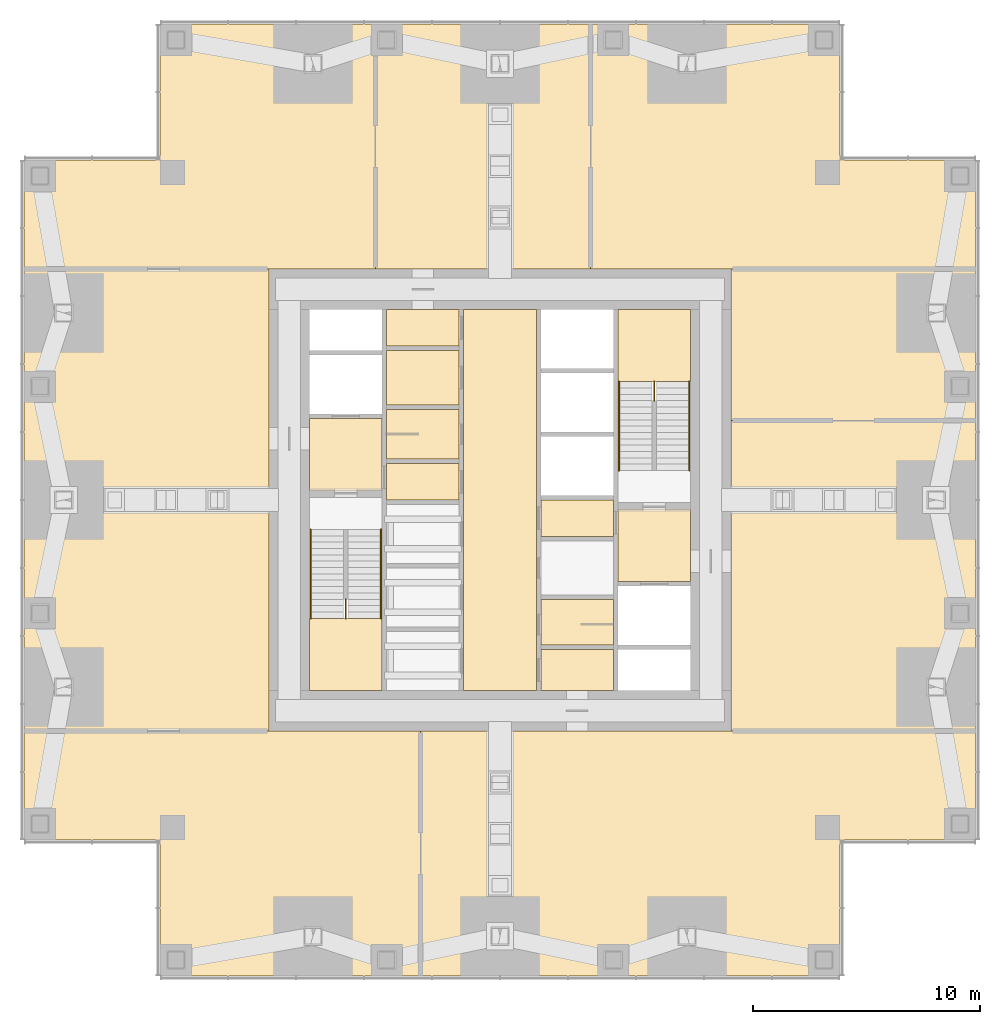
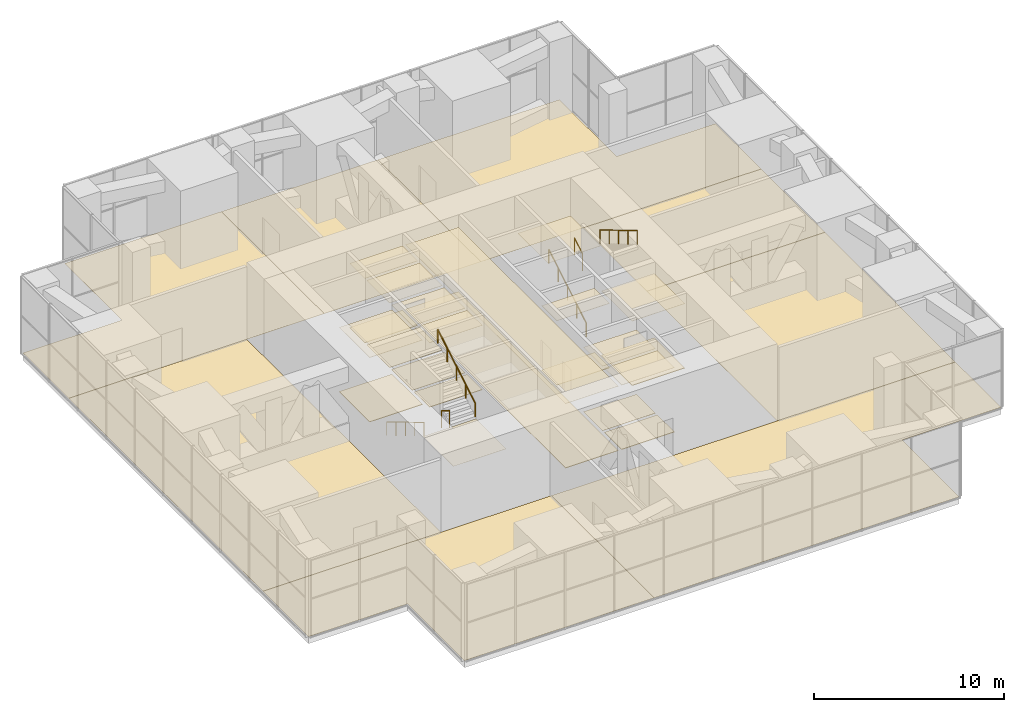
# One storey, part 13 of 13: 30 coverings, 6 railings.
"""IFC4 building model written with IfcOpenShell, lengths in metres."""

from ifc_helpers import new_model, si_unit, direction, frame, origin, origin_2d, place, context, subcontext, project, spatial, polyline, circle, outline, extrude, material, layer, layer_set, type_object, element, save


model = new_model("IFC4")

# Units and contexts
model_context = context("Model", 3, precision=1e-05, world=origin(), true_north=direction((0.0, 1.0)))
body_context = subcontext(model_context, "Body", "Model", "MODEL_VIEW")
ifc_project = project(units=[si_unit("LENGTHUNIT", "METRE"), si_unit("AREAUNIT", "SQUARE_METRE"), si_unit("VOLUMEUNIT", "CUBIC_METRE"), si_unit("PLANEANGLEUNIT", "RADIAN"), si_unit("MASSUNIT", "GRAM", prefix="KILO")], contexts=[model_context])

# Site, building, storey
site_placement = place(None, origin())
site = spatial("IfcSite", under=ifc_project, at=site_placement, CompositionType="ELEMENT")
building_placement = place(site_placement, origin())
building = spatial("IfcBuilding", under=site, at=building_placement, Name="Svetlomir Tower", CompositionType="ELEMENT")
storey_placement = place(building_placement, frame((0.0, 0.0, 86.5)))
storey = spatial("IfcBuildingStorey", under=building, at=storey_placement, Name="L20", CompositionType="ELEMENT", Elevation=86.5)

# Coverings
ifc_material_1 = material(Name="Ceramic floor tile", Category="ceramic")
ifc_layer_1 = layer(ifc_material_1, 0.014892578125)
ifc_layer_set_1 = layer_set([ifc_layer_1], Name="Ceramic floor tile")
covering_type_1 = type_object("IfcCoveringType", Name="CERAMIC TILE FLOOR 15", PredefinedType="FLOORING", material=ifc_layer_set_1)
covering_1_placement = place(storey_placement, origin())
element("IfcCovering", 1, at=covering_1_placement, inside=storey, type_object=covering_type_1, Name="Floor finish L20-04", PredefinedType="FLOORING", context=body_context, shape_type="SweptSolid", body=[
    extrude(outline(polyline([(16.0, 22.800048828125), (19.199951171875, 22.800048828125), (19.199951171875, 25.0), (16.0, 25.0), (16.0, 22.800048828125)])), origin(), (0.0, 0.0, 1.0), 0.014892578125),
])
covering_2_placement = place(storey_placement, origin())
element("IfcCovering", 2, at=covering_2_placement, inside=storey, type_object=covering_type_1, Name="Floor finish L20-05", PredefinedType="FLOORING", context=body_context, shape_type="SweptSolid", body=[
    extrude(outline(polyline([(16.0, 25.199951171875), (19.199951171875, 25.199951171875), (19.199951171875, 27.60009765625), (16.0, 27.60009765625), (16.0, 25.199951171875)])), origin(), (0.0, 0.0, 1.0), 0.014892578125),
])
covering_3_placement = place(storey_placement, origin())
element("IfcCovering", 3, at=covering_3_placement, inside=storey, type_object=covering_type_1, Name="Floor finish L20-09", PredefinedType="FLOORING", context=body_context, shape_type="SweptSolid", body=[
    extrude(outline(polyline([(22.800048828125, 14.60009765625), (26.0, 14.60009765625), (26.0, 16.60009765625), (22.800048828125, 16.60009765625), (22.800048828125, 14.60009765625)])), origin(), (0.0, 0.0, 1.0), 0.014892578125),
])
ifc_material_2 = material(Name="Epoxy resin floor coating", Category="resin")
ifc_layer_2 = layer(ifc_material_2, 0.0048828125)
ifc_layer_set_2 = layer_set([ifc_layer_2], Name="Epoxy resin floor coating")
covering_type_2 = type_object("IfcCoveringType", Name="EPOXY FLOOR 5", PredefinedType="FLOORING", material=ifc_layer_set_2)
covering_4_placement = place(storey_placement, origin())
element("IfcCovering", 4, at=covering_4_placement, inside=storey, type_object=covering_type_2, Name="Floor finish L20-14", PredefinedType="FLOORING", context=body_context, shape_type="SweptSolid", body=[
    extrude(outline(polyline([(6.0, 0.0), (6.0, 6.0), (0.0, 6.0), (0.0, 10.800048828125), (17.5, 10.800048828125), (17.5, 0.0), (6.0, 0.0)])), origin(), (0.0, 0.0, 1.0), 0.0048828125),
])
covering_5_placement = place(storey_placement, origin())
element("IfcCovering", 5, at=covering_5_placement, inside=storey, type_object=covering_type_2, Name="Floor finish L20-15", PredefinedType="FLOORING", context=body_context, shape_type="SweptSolid", body=[
    extrude(outline(polyline([(36.0, 0.0), (17.5, 0.0), (17.5, 10.800048828125), (42.0, 10.800048828125), (42.0, 6.0), (36.0, 6.0), (36.0, 0.0)])), origin(), (0.0, 0.0, 1.0), 0.0048828125),
])
covering_6_placement = place(storey_placement, origin())
element("IfcCovering", 6, at=covering_6_placement, inside=storey, type_object=covering_type_2, Name="Floor finish L20-16", PredefinedType="FLOORING", context=body_context, shape_type="SweptSolid", body=[
    extrude(outline(polyline([(6.0, 42.0), (15.5, 42.0), (15.5, 31.199951171875), (0.0, 31.199951171875), (0.0, 36.0), (6.0, 36.0), (6.0, 42.0)])), origin(), (0.0, 0.0, 1.0), 0.0048828125),
])
covering_7_placement = place(storey_placement, origin())
element("IfcCovering", 7, at=covering_7_placement, inside=storey, type_object=covering_type_2, Name="Floor finish L20-17", PredefinedType="FLOORING", context=body_context, shape_type="SweptSolid", body=[
    extrude(outline(polyline([(25.0, 42.0), (25.0, 31.199951171875), (15.5, 31.199951171875), (15.5, 42.0), (25.0, 42.0)])), origin(), (0.0, 0.0, 1.0), 0.0048828125),
])
covering_8_placement = place(storey_placement, origin())
element("IfcCovering", 8, at=covering_8_placement, inside=storey, type_object=covering_type_2, Name="Floor finish L20-18", PredefinedType="FLOORING", context=body_context, shape_type="SweptSolid", body=[
    extrude(outline(polyline([(36.0, 42.0), (36.0, 36.0), (42.0, 36.0), (42.0, 31.199951171875), (25.0, 31.199951171875), (25.0, 42.0), (36.0, 42.0)])), origin(), (0.0, 0.0, 1.0), 0.0048828125),
])
covering_9_placement = place(storey_placement, origin())
element("IfcCovering", 9, at=covering_9_placement, inside=storey, type_object=covering_type_2, Name="Floor finish L20-19", PredefinedType="FLOORING", context=body_context, shape_type="SweptSolid", body=[
    extrude(outline(polyline([(10.800048828125, 31.199951171875), (10.800048828125, 10.800048828125), (0.0, 10.800048828125), (0.0, 31.199951171875), (10.800048828125, 31.199951171875)])), origin(), (0.0, 0.0, 1.0), 0.0048828125),
])
covering_10_placement = place(storey_placement, origin())
element("IfcCovering", 10, at=covering_10_placement, inside=storey, type_object=covering_type_2, Name="Floor finish L20-20", PredefinedType="FLOORING", context=body_context, shape_type="SweptSolid", body=[
    extrude(outline(polyline([(31.199951171875, 24.5), (42.0, 24.5), (42.0, 10.800048828125), (31.199951171875, 10.800048828125), (31.199951171875, 24.5)])), origin(), (0.0, 0.0, 1.0), 0.0048828125),
])
covering_11_placement = place(storey_placement, origin())
element("IfcCovering", 11, at=covering_11_placement, inside=storey, type_object=covering_type_2, Name="Floor finish L20-21", PredefinedType="FLOORING", context=body_context, shape_type="SweptSolid", body=[
    extrude(outline(polyline([(31.199951171875, 31.199951171875), (42.0, 31.199951171875), (42.0, 24.5), (31.199951171875, 24.5), (31.199951171875, 31.199951171875)])), origin(), (0.0, 0.0, 1.0), 0.0048828125),
])

# Railings
ifc_material_3 = material(Name="Stainless steel", Category="steel")
railing_type_1 = type_object("IfcRailingType", Name="HANDRAIL HR1 900", PredefinedType="HANDRAIL", material=ifc_material_3)
railing_1_placement = place(storey_placement, frame((12.64990234375, 19.699951171875, 0.166748046875)))
element("IfcRailing", 12, at=railing_1_placement, inside=storey, type_object=railing_type_1, Name="Handrail S1 flight 1 L20", PredefinedType="HANDRAIL", context=body_context, shape_type="SweptSolid", body=[
    extrude(circle(Radius=0.02392578125, at=origin_2d()), frame((0.0, 0.0, 0.8759765625), z_axis=(0.0, -0.859296244711, 0.511478214419), x_axis=(1.0, 0.0, 0.0)), (0.0, 0.0, 1.0), 4.561767578125),
    extrude(circle(Radius=0.02099609375, at=origin_2d()), origin(), (0.0, 0.0, 1.0), 0.851806640625),
    extrude(circle(Radius=0.02099609375, at=origin_2d()), frame((0.0, -0.97998046875, 0.583251953125)), (0.0, 0.0, 1.0), 0.851806640625),
    extrude(circle(Radius=0.02099609375, at=origin_2d()), frame((0.0, -1.9599609375, 1.16650390625)), (0.0, 0.0, 1.0), 0.851806640625),
    extrude(circle(Radius=0.02099609375, at=origin_2d()), frame((0.0, -2.93994140625, 1.75)), (0.0, 0.0, 1.0), 0.851806640625),
    extrude(circle(Radius=0.02099609375, at=origin_2d()), frame((0.0, -3.919921875, 2.333251953125)), (0.0, 0.0, 1.0), 0.851806640625),
])
for number, where, name in (
    (13, (15.75, 15.780029296875, 2.666748046875), "Handrail S1 flight 2 L20"),
    (14, (26.25, 22.300048828125, 0.166748046875), "Handrail S2 flight 1 L20"),
):
    element("IfcRailing", number, at=place(storey_placement, frame(where)), inside=storey, type_object=railing_type_1, Name=name, PredefinedType="HANDRAIL", context=body_context, shape_type="SweptSolid", body=[
        extrude(circle(Radius=0.02392578125, at=origin_2d()), frame((0.0, 0.0, 0.8759765625), z_axis=(0.0, 0.859296244711, 0.511478214419), x_axis=(-1.0, 0.0, 0.0)), (0.0, 0.0, 1.0), 4.561767578125),
        extrude(circle(Radius=0.02099609375, at=origin_2d()), origin(), (0.0, 0.0, 1.0), 0.851806640625),
        extrude(circle(Radius=0.02099609375, at=origin_2d()), frame((0.0, 0.97998046875, 0.583251953125)), (0.0, 0.0, 1.0), 0.851806640625),
        extrude(circle(Radius=0.02099609375, at=origin_2d()), frame((0.0, 1.9599609375, 1.16650390625)), (0.0, 0.0, 1.0), 0.851806640625),
        extrude(circle(Radius=0.02099609375, at=origin_2d()), frame((0.0, 2.93994140625, 1.75)), (0.0, 0.0, 1.0), 0.851806640625),
        extrude(circle(Radius=0.02099609375, at=origin_2d()), frame((0.0, 3.919921875, 2.333251953125)), (0.0, 0.0, 1.0), 0.851806640625),
    ])
railing_2_placement = place(storey_placement, frame((29.35009765625, 26.219970703125, 2.666748046875)))
element("IfcRailing", 15, at=railing_2_placement, inside=storey, type_object=railing_type_1, Name="Handrail S2 flight 2 L20", PredefinedType="HANDRAIL", context=body_context, shape_type="SweptSolid", body=[
    extrude(circle(Radius=0.02392578125, at=origin_2d()), frame((0.0, 0.0, 0.8759765625), z_axis=(0.0, -0.859296244711, 0.511478214419), x_axis=(1.0, 0.0, 0.0)), (0.0, 0.0, 1.0), 4.561767578125),
    extrude(circle(Radius=0.02099609375, at=origin_2d()), origin(), (0.0, 0.0, 1.0), 0.851806640625),
    extrude(circle(Radius=0.02099609375, at=origin_2d()), frame((0.0, -0.97998046875, 0.583251953125)), (0.0, 0.0, 1.0), 0.851806640625),
    extrude(circle(Radius=0.02099609375, at=origin_2d()), frame((0.0, -1.9599609375, 1.16650390625)), (0.0, 0.0, 1.0), 0.851806640625),
    extrude(circle(Radius=0.02099609375, at=origin_2d()), frame((0.0, -2.93994140625, 1.75)), (0.0, 0.0, 1.0), 0.851806640625),
    extrude(circle(Radius=0.02099609375, at=origin_2d()), frame((0.0, -3.919921875, 2.333251953125)), (0.0, 0.0, 1.0), 0.851806640625),
])

# Coverings
ifc_material_4 = material(Name="Moisture resistant plasterboard ceiling", Category="gypsum")
ifc_layer_3 = layer(ifc_material_4, 0.012451171875)
ifc_layer_set_3 = layer_set([ifc_layer_3], Name="Moisture resistant plasterboard ceiling")
covering_type_3 = type_object("IfcCoveringType", Name="MOISTURE RESISTANT CEILING 12.5", PredefinedType="CEILING", material=ifc_layer_set_3)
covering_12_placement = place(storey_placement, frame((0.0, 0.0, 4.137451171875)))
element("IfcCovering", 16, at=covering_12_placement, inside=storey, type_object=covering_type_3, Name="Ceiling L20-04", PredefinedType="CEILING", context=body_context, shape_type="SweptSolid", body=[
    extrude(outline(polyline([(16.0, 22.800048828125), (19.199951171875, 22.800048828125), (19.199951171875, 25.0), (16.0, 25.0), (16.0, 22.800048828125)])), origin(), (0.0, 0.0, 1.0), 0.012451171875),
])
covering_13_placement = place(storey_placement, frame((0.0, 0.0, 4.137451171875)))
element("IfcCovering", 17, at=covering_13_placement, inside=storey, type_object=covering_type_3, Name="Ceiling L20-05", PredefinedType="CEILING", context=body_context, shape_type="SweptSolid", body=[
    extrude(outline(polyline([(16.0, 25.199951171875), (19.199951171875, 25.199951171875), (19.199951171875, 27.60009765625), (16.0, 27.60009765625), (16.0, 25.199951171875)])), origin(), (0.0, 0.0, 1.0), 0.012451171875),
])
covering_14_placement = place(storey_placement, frame((0.0, 0.0, 4.137451171875)))
element("IfcCovering", 18, at=covering_14_placement, inside=storey, type_object=covering_type_3, Name="Ceiling L20-09", PredefinedType="CEILING", context=body_context, shape_type="SweptSolid", body=[
    extrude(outline(polyline([(22.800048828125, 14.60009765625), (26.0, 14.60009765625), (26.0, 16.60009765625), (22.800048828125, 16.60009765625), (22.800048828125, 14.60009765625)])), origin(), (0.0, 0.0, 1.0), 0.012451171875),
])
ifc_material_5 = material(Name="Gypsum plasterboard ceiling", Category="gypsum")
ifc_layer_4 = layer(ifc_material_5, 0.014892578125)
ifc_layer_set_4 = layer_set([ifc_layer_4], Name="Gypsum plasterboard ceiling")
covering_type_4 = type_object("IfcCoveringType", Name="PLASTERBOARD CEILING 15", PredefinedType="CEILING", material=ifc_layer_set_4)
covering_15_placement = place(storey_placement, frame((0.0, 0.0, 4.135009765625)))
element("IfcCovering", 19, at=covering_15_placement, inside=storey, type_object=covering_type_4, Name="Ceiling L20-02", PredefinedType="CEILING", context=body_context, shape_type="SweptSolid", body=[
    extrude(outline(polyline([(12.60009765625, 21.39990234375), (15.800048828125, 21.39990234375), (15.800048828125, 24.60009765625), (12.60009765625, 24.60009765625), (12.60009765625, 21.39990234375)])), origin(), (0.0, 0.0, 1.0), 0.014892578125),
])
covering_16_placement = place(storey_placement, frame((0.0, 0.0, 4.135009765625)))
element("IfcCovering", 20, at=covering_16_placement, inside=storey, type_object=covering_type_4, Name="Ceiling L20-03", PredefinedType="CEILING", context=body_context, shape_type="SweptSolid", body=[
    extrude(outline(polyline([(16.0, 21.0), (19.199951171875, 21.0), (19.199951171875, 22.60009765625), (16.0, 22.60009765625), (16.0, 21.0)])), origin(), (0.0, 0.0, 1.0), 0.014892578125),
])
covering_17_placement = place(storey_placement, frame((0.0, 0.0, 4.135009765625)))
element("IfcCovering", 21, at=covering_17_placement, inside=storey, type_object=covering_type_4, Name="Ceiling L20-06", PredefinedType="CEILING", context=body_context, shape_type="SweptSolid", body=[
    extrude(outline(polyline([(16.0, 27.800048828125), (19.199951171875, 27.800048828125), (19.199951171875, 29.39990234375), (16.0, 29.39990234375), (16.0, 27.800048828125)])), origin(), (0.0, 0.0, 1.0), 0.014892578125),
])
covering_18_placement = place(storey_placement, frame((0.0, 0.0, 4.135009765625)))
element("IfcCovering", 22, at=covering_18_placement, inside=storey, type_object=covering_type_4, Name="Ceiling L20-07", PredefinedType="CEILING", context=body_context, shape_type="SweptSolid", body=[
    extrude(outline(polyline([(19.39990234375, 12.60009765625), (22.60009765625, 12.60009765625), (22.60009765625, 29.39990234375), (19.39990234375, 29.39990234375), (19.39990234375, 12.60009765625)])), origin(), (0.0, 0.0, 1.0), 0.014892578125),
])
covering_19_placement = place(storey_placement, frame((0.0, 0.0, 4.135009765625)))
element("IfcCovering", 23, at=covering_19_placement, inside=storey, type_object=covering_type_4, Name="Ceiling L20-08", PredefinedType="CEILING", context=body_context, shape_type="SweptSolid", body=[
    extrude(outline(polyline([(22.800048828125, 12.60009765625), (26.0, 12.60009765625), (26.0, 14.39990234375), (22.800048828125, 14.39990234375), (22.800048828125, 12.60009765625)])), origin(), (0.0, 0.0, 1.0), 0.014892578125),
])
covering_20_placement = place(storey_placement, frame((0.0, 0.0, 4.135009765625)))
element("IfcCovering", 24, at=covering_20_placement, inside=storey, type_object=covering_type_4, Name="Ceiling L20-11", PredefinedType="CEILING", context=body_context, shape_type="SweptSolid", body=[
    extrude(outline(polyline([(22.800048828125, 19.39990234375), (26.0, 19.39990234375), (26.0, 21.0), (22.800048828125, 21.0), (22.800048828125, 19.39990234375)])), origin(), (0.0, 0.0, 1.0), 0.014892578125),
])
covering_21_placement = place(storey_placement, frame((0.0, 0.0, 4.135009765625)))
element("IfcCovering", 25, at=covering_21_placement, inside=storey, type_object=covering_type_4, Name="Ceiling L20-12", PredefinedType="CEILING", context=body_context, shape_type="SweptSolid", body=[
    extrude(outline(polyline([(26.199951171875, 17.39990234375), (29.39990234375, 17.39990234375), (29.39990234375, 20.60009765625), (26.199951171875, 20.60009765625), (26.199951171875, 17.39990234375)])), origin(), (0.0, 0.0, 1.0), 0.014892578125),
])
ifc_material_6 = material(Name="Studded rubber floor finish", Category="rubber")
ifc_layer_5 = layer(ifc_material_6, 0.006103515625)
ifc_layer_set_5 = layer_set([ifc_layer_5], Name="Studded rubber floor finish")
covering_type_5 = type_object("IfcCoveringType", Name="RUBBER LANDING FINISH 6", PredefinedType="FLOORING", material=ifc_layer_set_5)
covering_22_placement = place(storey_placement, frame((0.0, 0.0, 2.5)))
element("IfcCovering", 26, at=covering_22_placement, inside=storey, type_object=covering_type_5, Name="Stair S1 landing finish L20", PredefinedType="FLOORING", context=body_context, shape_type="SweptSolid", body=[
    extrude(outline(polyline([(12.60009765625, 12.60009765625), (15.800048828125, 12.60009765625), (15.800048828125, 15.780029296875), (12.60009765625, 15.780029296875), (12.60009765625, 12.60009765625)])), origin(), (0.0, 0.0, 1.0), 0.006103515625),
])
covering_23_placement = place(storey_placement, frame((0.0, 0.0, 2.5)))
element("IfcCovering", 27, at=covering_23_placement, inside=storey, type_object=covering_type_5, Name="Stair S2 landing finish L20", PredefinedType="FLOORING", context=body_context, shape_type="SweptSolid", body=[
    extrude(outline(polyline([(26.199951171875, 26.219970703125), (29.39990234375, 26.219970703125), (29.39990234375, 29.39990234375), (26.199951171875, 29.39990234375), (26.199951171875, 26.219970703125)])), origin(), (0.0, 0.0, 1.0), 0.006103515625),
])

# Railings
ifc_material_7 = material(Name="Painted steel balustrade", Category="steel")
railing_type_2 = type_object("IfcRailingType", Name="STAIR WELL GUARD GR3 1100", PredefinedType="GUARDRAIL", material=ifc_material_7)
railing_3_placement = place(storey_placement, frame((14.199951171875, 15.780029296875, 2.5)))
element("IfcRailing", 28, at=railing_3_placement, inside=storey, type_object=railing_type_2, Name="Stair S1 well guard L20", PredefinedType="GUARDRAIL", context=body_context, shape_type="SweptSolid", body=[
    extrude(circle(Radius=0.02392578125, at=origin_2d()), frame((0.0, 0.0, 1.076171875), z_axis=(0.0, 0.859316403365, -0.511444345856), x_axis=(-1.0, 0.0, 0.0)), (0.0, 0.0, 1.0), 0.9775390625),
    extrude(circle(Radius=0.02099609375, at=origin_2d()), origin(), (0.0, 0.0, 1.0), 1.052001953125),
    extrude(circle(Radius=0.02099609375, at=origin_2d()), frame((0.0, 0.840087890625, -0.5)), (0.0, 0.0, 1.0), 1.052001953125),
])
railing_4_placement = place(storey_placement, frame((27.800048828125, 25.3798828125, 2.0)))
element("IfcRailing", 29, at=railing_4_placement, inside=storey, type_object=railing_type_2, Name="Stair S2 well guard L20", PredefinedType="GUARDRAIL", context=body_context, shape_type="SweptSolid", body=[
    extrude(circle(Radius=0.02392578125, at=origin_2d()), frame((0.0, 0.0, 1.076171875), z_axis=(0.0, 0.859316403365, 0.511444345856), x_axis=(-1.0, 0.0, 0.0)), (0.0, 0.0, 1.0), 0.9775390625),
    extrude(circle(Radius=0.02099609375, at=origin_2d()), origin(), (0.0, 0.0, 1.0), 1.052001953125),
    extrude(circle(Radius=0.02099609375, at=origin_2d()), frame((0.0, 0.840087890625, 0.5)), (0.0, 0.0, 1.0), 1.052001953125),
])

# Coverings
ifc_material_8 = material(Name="Bronze-aggregate terrazzo", Category="stone")
ifc_layer_6 = layer(ifc_material_8, 0.030029296875)
ifc_layer_set_6 = layer_set([ifc_layer_6], Name="Bronze-aggregate terrazzo")
covering_type_6 = type_object("IfcCoveringType", Name="TERRAZZO FLOOR 30", PredefinedType="FLOORING", material=ifc_layer_set_6)
covering_24_placement = place(storey_placement, origin())
element("IfcCovering", 30, at=covering_24_placement, inside=storey, type_object=covering_type_6, Name="Floor finish L20-02", PredefinedType="FLOORING", context=body_context, shape_type="SweptSolid", body=[
    extrude(outline(polyline([(12.60009765625, 21.39990234375), (15.800048828125, 21.39990234375), (15.800048828125, 24.60009765625), (12.60009765625, 24.60009765625), (12.60009765625, 21.39990234375)])), origin(), (0.0, 0.0, 1.0), 0.030029296875),
])
covering_25_placement = place(storey_placement, origin())
element("IfcCovering", 31, at=covering_25_placement, inside=storey, type_object=covering_type_6, Name="Floor finish L20-03", PredefinedType="FLOORING", context=body_context, shape_type="SweptSolid", body=[
    extrude(outline(polyline([(16.0, 21.0), (19.199951171875, 21.0), (19.199951171875, 22.60009765625), (16.0, 22.60009765625), (16.0, 21.0)])), origin(), (0.0, 0.0, 1.0), 0.030029296875),
])
covering_26_placement = place(storey_placement, origin())
element("IfcCovering", 32, at=covering_26_placement, inside=storey, type_object=covering_type_6, Name="Floor finish L20-06", PredefinedType="FLOORING", context=body_context, shape_type="SweptSolid", body=[
    extrude(outline(polyline([(16.0, 27.800048828125), (19.199951171875, 27.800048828125), (19.199951171875, 29.39990234375), (16.0, 29.39990234375), (16.0, 27.800048828125)])), origin(), (0.0, 0.0, 1.0), 0.030029296875),
])
covering_27_placement = place(storey_placement, origin())
element("IfcCovering", 33, at=covering_27_placement, inside=storey, type_object=covering_type_6, Name="Floor finish L20-07", PredefinedType="FLOORING", context=body_context, shape_type="SweptSolid", body=[
    extrude(outline(polyline([(19.39990234375, 12.60009765625), (22.60009765625, 12.60009765625), (22.60009765625, 29.39990234375), (19.39990234375, 29.39990234375), (19.39990234375, 12.60009765625)])), origin(), (0.0, 0.0, 1.0), 0.030029296875),
])
covering_28_placement = place(storey_placement, origin())
element("IfcCovering", 34, at=covering_28_placement, inside=storey, type_object=covering_type_6, Name="Floor finish L20-08", PredefinedType="FLOORING", context=body_context, shape_type="SweptSolid", body=[
    extrude(outline(polyline([(22.800048828125, 12.60009765625), (26.0, 12.60009765625), (26.0, 14.39990234375), (22.800048828125, 14.39990234375), (22.800048828125, 12.60009765625)])), origin(), (0.0, 0.0, 1.0), 0.030029296875),
])
covering_29_placement = place(storey_placement, origin())
element("IfcCovering", 35, at=covering_29_placement, inside=storey, type_object=covering_type_6, Name="Floor finish L20-11", PredefinedType="FLOORING", context=body_context, shape_type="SweptSolid", body=[
    extrude(outline(polyline([(22.800048828125, 19.39990234375), (26.0, 19.39990234375), (26.0, 21.0), (22.800048828125, 21.0), (22.800048828125, 19.39990234375)])), origin(), (0.0, 0.0, 1.0), 0.030029296875),
])
covering_30_placement = place(storey_placement, origin())
element("IfcCovering", 36, at=covering_30_placement, inside=storey, type_object=covering_type_6, Name="Floor finish L20-12", PredefinedType="FLOORING", context=body_context, shape_type="SweptSolid", body=[
    extrude(outline(polyline([(26.199951171875, 17.39990234375), (29.39990234375, 17.39990234375), (29.39990234375, 20.60009765625), (26.199951171875, 20.60009765625), (26.199951171875, 17.39990234375)])), origin(), (0.0, 0.0, 1.0), 0.030029296875),
])

save(model, "model.ifc")
